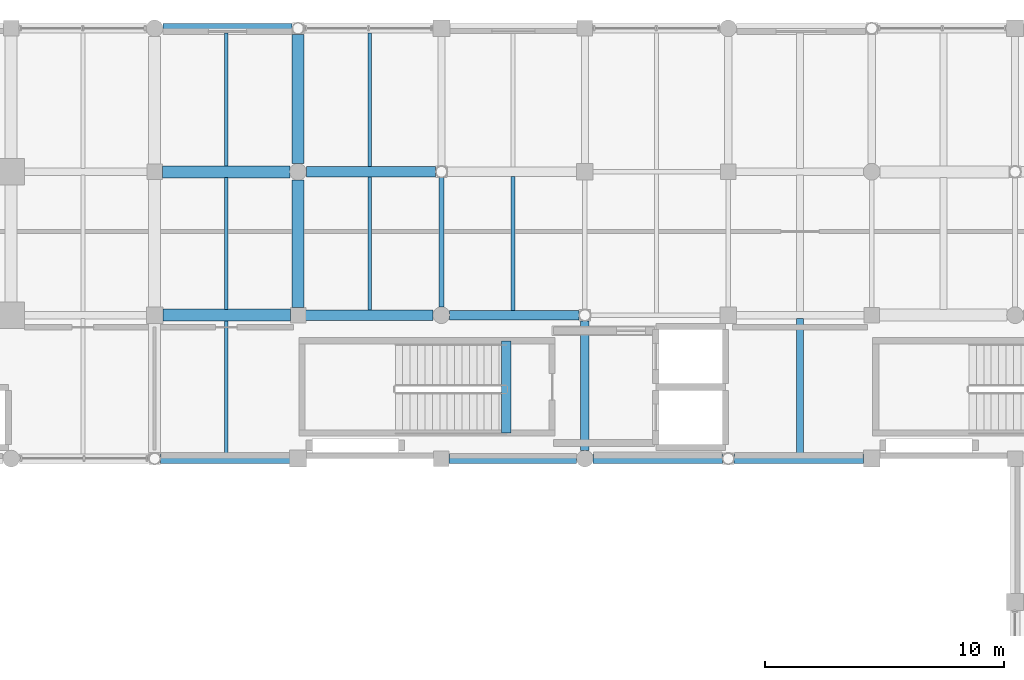
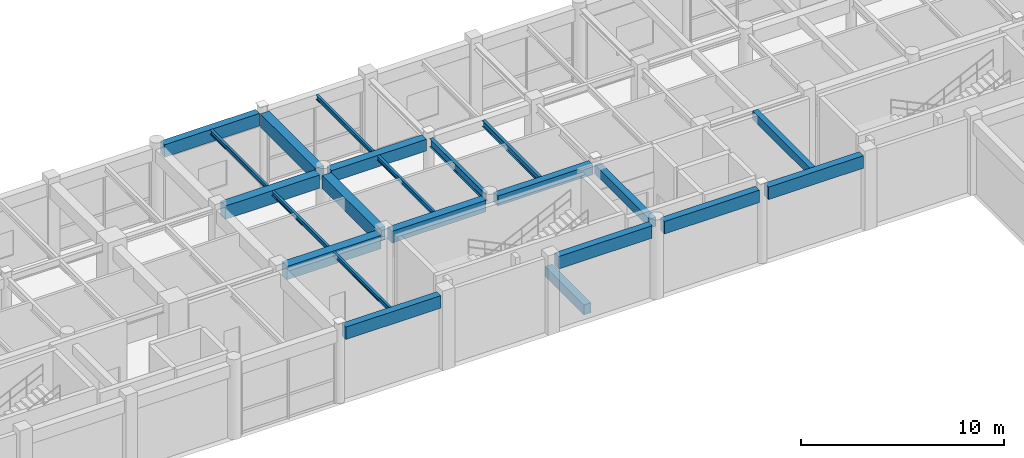
# One storey, part 77 of 123: 22 beams.
"""IFC4 building model written with IfcOpenShell, lengths in metres."""

import ifcopenshell
import ifcopenshell.guid

model = None  # the IFC model being written
_history = None  # IfcOwnerHistory: only IFC2X3 demands one
_inside = {}  # id of a spatial element -> (the spatial element, [elements in it])
_under = {}  # id of a project, library or spatial element -> (it, [spatial elements below it])
_declared = {}  # id of a project -> (the project, [libraries it declares])
_typed = {}  # id of a type object -> (the type object, [elements of that type])
_made_of = {}  # id of a material, layer set ... -> (it, [elements and type objects made of it])


def new_model(schema):
    """Start an empty IFC model of exactly this schema.

    Asked for "IFC4X3", IfcOpenShell would pick the latest addendum, in which some entities
    have other attributes; the version numbers below select the first issue.
    IFC2X3 requires an IfcOwnerHistory on every rooted entity: one is made here for all.
    """
    global model, _history
    if schema == "IFC4X3":
        model = ifcopenshell.file(schema_version=(4, 3, 0, 0))
    else:
        model = ifcopenshell.file(schema=schema)
    _inside.clear()
    _under.clear()
    _declared.clear()
    _typed.clear()
    _made_of.clear()
    _history = None
    if model.schema == "IFC2X3":
        org = make("IfcOrganization", Name="unknown")
        user = make(
            "IfcPersonAndOrganization",
            ThePerson=make("IfcPerson", FamilyName="unknown"),
            TheOrganization=org,
        )
        app = make(
            "IfcApplication",
            ApplicationDeveloper=org,
            Version="unknown",
            ApplicationFullName="unknown",
            ApplicationIdentifier="unknown",
        )
        _history = make(
            "IfcOwnerHistory",
            OwningUser=user,
            OwningApplication=app,
            ChangeAction="ADDED",
            CreationDate=0,
        )
    return model


def make(cls, **values):
    """One entity of the class cls with the attributes given. An attribute that is None is left unset."""
    return model.create_entity(
        cls, **{name: value for name, value in values.items() if value is not None}
    )


def rooted(cls, **values):
    """An entity with a GlobalId (a new one), such as an element, a storey or a relation."""
    return make(cls, GlobalId=ifcopenshell.guid.new(), OwnerHistory=_history, **values)


def si_unit(unit_type, name, prefix=None):
    """IfcSIUnit, for example si_unit("LENGTHUNIT", "METRE", prefix="MILLI")."""
    return make("IfcSIUnit", UnitType=unit_type, Prefix=prefix, Name=name)


def assignment(units):
    """IfcUnitAssignment: the units of a project."""
    return None if units is None else make("IfcUnitAssignment", Units=units)


def point(xyz):
    """IfcCartesianPoint."""
    return None if xyz is None else make("IfcCartesianPoint", Coordinates=xyz)


def direction(xyz):
    """IfcDirection."""
    return None if xyz is None else make("IfcDirection", DirectionRatios=xyz)


def frame(location, z_axis=None, x_axis=None):
    """IfcAxis2Placement3D, a coordinate frame: its origin and axes. An axis left out is left unset."""
    return make(
        "IfcAxis2Placement3D",
        Location=point(location),
        Axis=direction(z_axis),
        RefDirection=direction(x_axis),
    )


def frame_2d(location, x_axis=None):
    """IfcAxis2Placement2D, a coordinate frame in the plane: its origin and x axis."""
    return make(
        "IfcAxis2Placement2D", Location=point(location), RefDirection=direction(x_axis)
    )


def origin():
    """The frame at (0, 0, 0) with its axes left unset."""
    return frame((0.0, 0.0, 0.0))


def origin_2d():
    """The frame at (0, 0) in the plane with its x axis left unset."""
    return frame_2d((0.0, 0.0))


def place(relative_to, where):
    """IfcLocalPlacement: puts the frame where relative to a parent placement (None: the world)."""
    return make(
        "IfcLocalPlacement", PlacementRelTo=relative_to, RelativePlacement=where
    )


def context(
    kind, dimensions, precision=None, world=None, true_north=None, identifier=None
):
    """IfcGeometricRepresentationContext, for example the 3D "Model" context."""
    return make(
        "IfcGeometricRepresentationContext",
        ContextIdentifier=identifier,
        ContextType=kind,
        CoordinateSpaceDimension=dimensions,
        Precision=precision,
        WorldCoordinateSystem=world,
        TrueNorth=true_north,
    )


def subcontext(parent, identifier, kind, view, scale=None):
    """IfcGeometricRepresentationSubContext, for example "Body" below "Model"."""
    return make(
        "IfcGeometricRepresentationSubContext",
        ContextIdentifier=identifier,
        ContextType=kind,
        ParentContext=parent,
        TargetScale=scale,
        TargetView=view,
    )


def project(units=None, contexts=None):
    """IfcProject with its units and contexts."""
    return rooted(
        "IfcProject",
        Name="project",
        RepresentationContexts=contexts,
        UnitsInContext=assignment(units),
    )


def spatial(cls, under=None, at=None, **own):
    """A site, building, storey or space (cls), placed at a placement, below another one or the project."""
    s = rooted(cls, ObjectPlacement=at, **own)
    if under is not None:
        _under.setdefault(under.id(), (under, []))[1].append(s)
    return s


def profile(cls, at=None, kind="AREA", **sizes):
    """A parametric profile (cls). Its sizes go by their IFC names, for example OverallWidth=200.0."""
    return make(cls, ProfileType=kind, Position=at, **sizes)


def rectangle(**sizes):
    """IfcRectangleProfileDef."""
    return profile("IfcRectangleProfileDef", **sizes)


def i_section(**sizes):
    """IfcIShapeProfileDef."""
    return profile("IfcIShapeProfileDef", **sizes)


def extrude(swept, where, along, depth):
    """IfcExtrudedAreaSolid: the profile swept, set in the frame where, extruded along a direction by depth."""
    return make(
        "IfcExtrudedAreaSolid",
        SweptArea=swept,
        Position=where,
        ExtrudedDirection=direction(along),
        Depth=depth,
    )


def shape(context_of_items, identifier, shape_type, items):
    """IfcShapeRepresentation: the items that make up one representation, for example the "Body"."""
    return make(
        "IfcShapeRepresentation",
        ContextOfItems=context_of_items,
        RepresentationIdentifier=identifier,
        RepresentationType=shape_type,
        Items=items,
    )


def material(Name=None, Category=None):
    """IfcMaterial."""
    return make("IfcMaterial", Name=Name, Category=Category)


def material_profile(
    of_material, cross_section, Name=None, Category=None, Priority=None
):
    """IfcMaterialProfile: a cross section and its material."""
    return make(
        "IfcMaterialProfile",
        Name=Name,
        Material=of_material,
        Profile=cross_section,
        Priority=Priority,
        Category=Category,
    )


def profile_set(profiles, Name=None, composite=None):
    """IfcMaterialProfileSet."""
    return make(
        "IfcMaterialProfileSet",
        Name=Name,
        MaterialProfiles=profiles,
        CompositeProfile=composite,
    )


def made_of(thing, what):
    """Note that an element or type object is made of a material, layer set ...; save() writes the relation."""
    if what is not None:
        _made_of.setdefault(what.id(), (what, []))[1].append(thing)
    return thing


def type_object(cls, material=None, **own):
    """A type object (cls), such as IfcWallType, which elements share."""
    return made_of(rooted(cls, **own), material)


def element(
    cls,
    number,
    at=None,
    inside=None,
    cuts=None,
    type_object=None,
    material=None,
    context=None,
    identifier="Body",
    shape_type=None,
    held_by="IfcProductDefinitionShape",
    body=None,
    shapes=None,
    **own,
):
    """One element of the class cls, such as IfcWall. Its Tag is "e" and its number.

    at: its placement. inside: the storey or other place that contains it. cuts: it is an
    opening in that element (IfcRelVoidsElement). A single representation is given by context,
    identifier, shape_type and body (its items); several are given by shapes. held_by: the class
    of the entity that holds the representations. save() writes the other relations.
    """
    e = rooted(cls, Tag="e%d" % number, ObjectPlacement=at, **own)
    if body is not None:
        shapes = [shape(context, identifier, shape_type, body)]
    if shapes is not None:
        e.Representation = make(held_by, Representations=shapes)
    if inside is not None:
        _inside.setdefault(inside.id(), (inside, []))[1].append(e)
    if cuts is not None:
        rooted(
            "IfcRelVoidsElement", RelatingBuildingElement=cuts, RelatedOpeningElement=e
        )
    if type_object is not None:
        _typed.setdefault(type_object.id(), (type_object, []))[1].append(e)
    return made_of(e, material)


def aggregate(whole, parts):
    """IfcRelAggregates: a whole, such as a stair, and the parts it consists of."""
    return rooted("IfcRelAggregates", RelatingObject=whole, RelatedObjects=parts)


def save(model, path):
    """Write the relations noted so far, then the file.

    IfcRelAggregates (storeys below a building ...), IfcRelContainedInSpatialStructure (elements
    in a storey), IfcRelDefinesByType, IfcRelAssociatesMaterial and IfcRelDeclares: one each for
    every whole, place, type object, material and project.
    """
    for whole, parts in _under.values():
        aggregate(whole, parts)
    for where, things in _inside.values():
        rooted(
            "IfcRelContainedInSpatialStructure",
            RelatedElements=things,
            RelatingStructure=where,
        )
    for kind, things in _typed.values():
        rooted("IfcRelDefinesByType", RelatedObjects=things, RelatingType=kind)
    for what, things in _made_of.values():
        rooted("IfcRelAssociatesMaterial", RelatedObjects=things, RelatingMaterial=what)
    for by, libraries in _declared.values():
        rooted("IfcRelDeclares", RelatingContext=by, RelatedDefinitions=libraries)
    model.write(path)


model = new_model("IFC4")

# Units and contexts
model_context = context("Model", 3, precision=1e-05, world=origin(), true_north=direction((0.0, 1.0)))
body_context = subcontext(model_context, "Body", "Model", "MODEL_VIEW")
ifc_project = project(units=[si_unit("LENGTHUNIT", "METRE"), si_unit("AREAUNIT", "SQUARE_METRE"), si_unit("VOLUMEUNIT", "CUBIC_METRE"), si_unit("PLANEANGLEUNIT", "RADIAN"), si_unit("MASSUNIT", "GRAM", prefix="KILO"), si_unit("THERMODYNAMICTEMPERATUREUNIT", "KELVIN"), si_unit("POWERUNIT", "WATT")], contexts=[model_context])

# Site, building, storey
site_placement = place(None, origin())
site = spatial("IfcSite", under=ifc_project, at=site_placement, CompositionType="ELEMENT")
building_placement = place(site_placement, origin())
building = spatial("IfcBuilding", under=site, at=building_placement, Name="Phaisarnlok Congress Hotel", CompositionType="ELEMENT")
storey_placement = place(building_placement, frame((0.0, 0.0, 15.0)))
storey = spatial("IfcBuildingStorey", under=building, at=storey_placement, Name="L03", CompositionType="ELEMENT", Elevation=15.0)

# Beams
ifc_material_1 = material(Name="Concrete C40/50", Category="concrete")
ifc_material_profile_1 = material_profile(ifc_material_1, rectangle(XDim=0.35009765625, YDim=0.550048828125, at=origin_2d()), Name="RC 350x550")
ifc_profile_set_1 = profile_set([ifc_material_profile_1], Name="Concrete C40/50")
beam_type_1 = type_object("IfcBeamType", Name="BM-RC-350x550", PredefinedType="BEAM", material=ifc_profile_set_1)
beam_1_placement = place(storey_placement, frame((144.0, 108.344970703125, 4.175048828125), z_axis=(0.0, 1.0, 0.0), x_axis=(-1.0, 0.0, 0.0)))
element("IfcBeam", 1, at=beam_1_placement, inside=storey, type_object=beam_type_1, Name="Beam B-01", PredefinedType="BEAM", context=body_context, shape_type="SweptSolid", body=[
    extrude(rectangle(XDim=0.35009765625, YDim=0.550048828125, at=origin_2d()), origin(), (0.0, 0.0, 1.0), 5.406005859375),
])
ifc_material_profile_2 = material_profile(ifc_material_1, rectangle(XDim=0.39990234375, YDim=0.60009765625, at=origin_2d()), Name="RC 400x600")
ifc_profile_set_2 = profile_set([ifc_material_profile_2], Name="Concrete C40/50")
beam_type_2 = type_object("IfcBeamType", Name="BM-RC-400x600", PredefinedType="BEAM", material=ifc_profile_set_2)
beam_2_placement = place(storey_placement, frame((138.344970703125, 114.0, 4.14990234375), z_axis=(1.0, 0.0, 0.0), x_axis=(0.0, 1.0, 0.0)))
element("IfcBeam", 2, at=beam_2_placement, inside=storey, type_object=beam_type_2, Name="Beam B-02", PredefinedType="BEAM", context=body_context, shape_type="SweptSolid", body=[
    extrude(rectangle(XDim=0.39990234375, YDim=0.60009765625, at=origin_2d()), origin(), (0.0, 0.0, 1.0), 5.406005859375),
])
beam_3_placement = place(storey_placement, frame((140.719970703125, 109.080078125, -0.300048828125), z_axis=(0.0, 1.0, 0.0), x_axis=(-1.0, 0.0, 0.0)))
element("IfcBeam", 3, at=beam_3_placement, inside=storey, type_object=beam_type_2, Name="Stair landing header beam B-02 (CORE-2 L03)", PredefinedType="BEAM", context=body_context, shape_type="SweptSolid", body=[
    extrude(rectangle(XDim=0.39990234375, YDim=0.60009765625, at=origin_2d()), origin(), (0.0, 0.0, 1.0), 3.83984375),
])
ifc_material_profile_3 = material_profile(ifc_material_1, rectangle(XDim=0.449951171875, YDim=0.699951171875, at=origin_2d()), Name="RC 450x700")
ifc_profile_set_3 = profile_set([ifc_material_profile_3], Name="Concrete C40/50")
beam_type_3 = type_object("IfcBeamType", Name="BM-RC-450x700", PredefinedType="BEAM", material=ifc_profile_set_3)
beam_4_placement = place(storey_placement, frame((132.320068359375, 114.0, 4.10009765625), z_axis=(1.0, 0.0, 0.0), x_axis=(0.0, 1.0, 0.0)))
element("IfcBeam", 4, at=beam_4_placement, inside=storey, type_object=beam_type_3, Name="Beam B-03", PredefinedType="BEAM", context=body_context, shape_type="SweptSolid", body=[
    extrude(rectangle(XDim=0.449951171875, YDim=0.699951171875, at=origin_2d()), origin(), (0.0, 0.0, 1.0), 5.3349609375),
])
beam_5_placement = place(storey_placement, frame((132.344970703125, 120.0, 4.10009765625), z_axis=(1.0, 0.0, 0.0), x_axis=(0.0, 1.0, 0.0)))
element("IfcBeam", 5, at=beam_5_placement, inside=storey, type_object=beam_type_3, Name="Beam B-03", PredefinedType="BEAM", context=body_context, shape_type="SweptSolid", body=[
    extrude(rectangle(XDim=0.449951171875, YDim=0.699951171875, at=origin_2d()), origin(), (0.0, 0.0, 1.0), 5.406005859375),
])
ifc_material_profile_4 = material_profile(ifc_material_1, rectangle(XDim=0.5, YDim=0.800048828125, at=origin_2d()), Name="RC 500x800")
ifc_profile_set_4 = profile_set([ifc_material_profile_4], Name="Concrete C40/50")
beam_type_4 = type_object("IfcBeamType", Name="BM-RC-500x800", PredefinedType="BEAM", material=ifc_profile_set_4)
for number, where, z_axis, x_axis, name in (
    (6, (126.344970703125, 114.0, 4.050048828125), (1.0, 0.0, 0.0), (0.0, 1.0, 0.0), "Beam B-04"),
    (7, (126.320068359375, 120.0, 4.050048828125), (1.0, 0.0, 0.0), (0.0, 1.0, 0.0), "Beam B-04"),
    (8, (132.0, 114.320068359375, 4.050048828125), (0.0, 1.0, 0.0), (-1.0, 0.0, 0.0), "Beam B-04"),
):
    element("IfcBeam", number, at=place(storey_placement, frame(where, z_axis=z_axis, x_axis=x_axis)), inside=storey, type_object=beam_type_4, Name=name, PredefinedType="BEAM", context=body_context, shape_type="SweptSolid", body=[
        extrude(rectangle(XDim=0.5, YDim=0.800048828125, at=origin_2d()), origin(), (0.0, 0.0, 1.0), 5.3349609375),
    ])
beam_6_placement = place(storey_placement, frame((132.0, 120.344970703125, 4.050048828125), z_axis=(0.0, 1.0, 0.0), x_axis=(-1.0, 0.0, 0.0)))
element("IfcBeam", 9, at=beam_6_placement, inside=storey, type_object=beam_type_4, Name="Beam B-04", PredefinedType="BEAM", context=body_context, shape_type="SweptSolid", body=[
    extrude(rectangle(XDim=0.5, YDim=0.800048828125, at=origin_2d()), origin(), (0.0, 0.0, 1.0), 5.406005859375),
])
ifc_material_2 = material(Name="Steel S355", Category="steel")
ifc_material_profile_5 = material_profile(ifc_material_2, i_section(OverallWidth=0.199951171875, OverallDepth=0.5, WebThickness=0.01025390625, FlangeThickness=0.01611328125, FilletRadius=0.02099609375, at=origin_2d()), Name="IPE 500")
ifc_profile_set_5 = profile_set([ifc_material_profile_5], Name="Steel S355")
beam_type_5 = type_object("IfcBeamType", Name="BM-STL-IPE500", PredefinedType="BEAM", material=ifc_profile_set_5)
beam_7_placement = place(storey_placement, frame((138.0, 114.344970703125, 4.199951171875), z_axis=(0.0, 1.0, 0.0), x_axis=(-1.0, 0.0, 0.0)))
element("IfcBeam", 10, at=beam_7_placement, inside=storey, type_object=beam_type_5, Name="Beam SB-02", PredefinedType="BEAM", context=body_context, shape_type="SweptSolid", body=[
    extrude(i_section(OverallWidth=0.199951171875, OverallDepth=0.5, WebThickness=0.01025390625, FlangeThickness=0.01611328125, FilletRadius=0.02099609375, at=origin_2d()), origin(), (0.0, 0.0, 1.0), 5.406005859375),
])
ifc_material_profile_6 = material_profile(ifc_material_1, rectangle(XDim=0.300048828125, YDim=0.5, at=origin_2d()), Name="RC 300x500")
ifc_profile_set_6 = profile_set([ifc_material_profile_6], Name="Concrete C40/50")
beam_type_6 = type_object("IfcBeamType", Name="JS-RC-300x500", PredefinedType="JOIST", material=ifc_profile_set_6)
beam_8_placement = place(storey_placement, frame((153.0, 108.195068359375, 4.199951171875), z_axis=(0.0, 1.0, 0.0), x_axis=(-1.0, 0.0, 0.0)))
element("IfcBeam", 11, at=beam_8_placement, inside=storey, type_object=beam_type_6, Name="Secondary floor joist J-01", PredefinedType="JOIST", context=body_context, shape_type="SweptSolid", body=[
    extrude(rectangle(XDim=0.300048828125, YDim=0.5, at=origin_2d()), origin(), (0.0, 0.0, 1.0), 5.659912109375),
])
ifc_material_profile_7 = material_profile(ifc_material_2, i_section(OverallWidth=0.135009765625, OverallDepth=0.27001953125, WebThickness=0.006591796875, FlangeThickness=0.01025390625, FilletRadius=0.014892578125, at=origin_2d()), Name="IPE 270")
ifc_profile_set_7 = profile_set([ifc_material_profile_7], Name="Steel S355")
beam_type_7 = type_object("IfcBeamType", Name="JS-STL-IPE270", PredefinedType="JOIST", material=ifc_profile_set_7)
beam_9_placement = place(storey_placement, frame((129.0, 108.195068359375, 4.31494140625), z_axis=(0.0, 1.0, 0.0), x_axis=(-1.0, 0.0, 0.0)))
element("IfcBeam", 12, at=beam_9_placement, inside=storey, type_object=beam_type_7, Name="Secondary floor joist J-02", PredefinedType="JOIST", context=body_context, shape_type="SweptSolid", body=[
    extrude(i_section(OverallWidth=0.135009765625, OverallDepth=0.27001953125, WebThickness=0.006591796875, FlangeThickness=0.01025390625, FilletRadius=0.014892578125, at=origin_2d()), origin(), (0.0, 0.0, 1.0), 5.559814453125),
])
beam_10_placement = place(storey_placement, frame((129.0, 114.2451171875, 4.31494140625), z_axis=(0.0, 1.0, 0.0), x_axis=(-1.0, 0.0, 0.0)))
element("IfcBeam", 13, at=beam_10_placement, inside=storey, type_object=beam_type_7, Name="Secondary floor joist J-02", PredefinedType="JOIST", context=body_context, shape_type="SweptSolid", body=[
    extrude(i_section(OverallWidth=0.135009765625, OverallDepth=0.27001953125, WebThickness=0.006591796875, FlangeThickness=0.01025390625, FilletRadius=0.014892578125, at=origin_2d()), origin(), (0.0, 0.0, 1.0), 5.509765625),
])
beam_11_placement = place(storey_placement, frame((129.0, 120.2451171875, 4.31494140625), z_axis=(0.0, 1.0, 0.0), x_axis=(-1.0, 0.0, 0.0)))
element("IfcBeam", 14, at=beam_11_placement, inside=storey, type_object=beam_type_7, Name="Secondary floor joist J-02", PredefinedType="JOIST", context=body_context, shape_type="SweptSolid", body=[
    extrude(i_section(OverallWidth=0.135009765625, OverallDepth=0.27001953125, WebThickness=0.006591796875, FlangeThickness=0.01025390625, FilletRadius=0.014892578125, at=origin_2d()), origin(), (0.0, 0.0, 1.0), 5.559814453125),
])
beam_12_placement = place(storey_placement, frame((135.0, 114.219970703125, 4.31494140625), z_axis=(0.0, 1.0, 0.0), x_axis=(-1.0, 0.0, 0.0)))
element("IfcBeam", 15, at=beam_12_placement, inside=storey, type_object=beam_type_7, Name="Secondary floor joist J-02", PredefinedType="JOIST", context=body_context, shape_type="SweptSolid", body=[
    extrude(i_section(OverallWidth=0.135009765625, OverallDepth=0.27001953125, WebThickness=0.006591796875, FlangeThickness=0.01025390625, FilletRadius=0.014892578125, at=origin_2d()), origin(), (0.0, 0.0, 1.0), 5.56005859375),
])
beam_13_placement = place(storey_placement, frame((135.0, 120.219970703125, 4.31494140625), z_axis=(0.0, 1.0, 0.0), x_axis=(-1.0, 0.0, 0.0)))
element("IfcBeam", 16, at=beam_13_placement, inside=storey, type_object=beam_type_7, Name="Secondary floor joist J-02", PredefinedType="JOIST", context=body_context, shape_type="SweptSolid", body=[
    extrude(i_section(OverallWidth=0.135009765625, OverallDepth=0.27001953125, WebThickness=0.006591796875, FlangeThickness=0.01025390625, FilletRadius=0.014892578125, at=origin_2d()), origin(), (0.0, 0.0, 1.0), 5.5849609375),
])
ifc_material_profile_8 = material_profile(ifc_material_2, i_section(OverallWidth=0.169921875, OverallDepth=0.360107421875, WebThickness=0.008056640625, FlangeThickness=0.0126953125, FilletRadius=0.01806640625, at=origin_2d()), Name="IPE 360")
ifc_profile_set_8 = profile_set([ifc_material_profile_8], Name="Steel S355")
beam_type_8 = type_object("IfcBeamType", Name="JS-STL-IPE360", PredefinedType="JOIST", material=ifc_profile_set_8)
beam_14_placement = place(storey_placement, frame((141.0, 114.195068359375, 4.27001953125), z_axis=(0.0, 1.0, 0.0), x_axis=(-1.0, 0.0, 0.0)))
element("IfcBeam", 17, at=beam_14_placement, inside=storey, type_object=beam_type_8, Name="Secondary floor joist J-04", PredefinedType="JOIST", context=body_context, shape_type="SweptSolid", body=[
    extrude(i_section(OverallWidth=0.169921875, OverallDepth=0.360107421875, WebThickness=0.008056640625, FlangeThickness=0.0126953125, FilletRadius=0.01806640625, at=origin_2d()), origin(), (0.0, 0.0, 1.0), 5.60986328125),
])
ifc_material_profile_9 = material_profile(ifc_material_1, rectangle(XDim=0.39990234375, YDim=0.75, at=origin_2d()), Name="RC 400x750")
ifc_profile_set_9 = profile_set([ifc_material_profile_9], Name="Concrete C40/50")
beam_type_9 = type_object("IfcBeamType", Name="SP-RC-400x750", PredefinedType="SPANDREL", material=ifc_profile_set_9)
for number, where, z_axis, x_axis, name in (
    (18, (126.2490234375, 108.0, 4.074951171875), (1.0, 0.0, 0.0), (0.0, 1.0, 0.0), "Beam SP-02"),
    (19, (126.344970703125, 126.0, 4.074951171875), (1.0, 0.0, 0.0), (0.0, 1.0, 0.0), "Beam SP-02"),
):
    element("IfcBeam", number, at=place(storey_placement, frame(where, z_axis=z_axis, x_axis=x_axis)), inside=storey, type_object=beam_type_9, Name=name, PredefinedType="SPANDREL", context=body_context, shape_type="SweptSolid", body=[
        extrude(rectangle(XDim=0.39990234375, YDim=0.75, at=origin_2d()), origin(), (0.0, 0.0, 1.0), 5.406005859375),
    ])
beam_15_placement = place(storey_placement, frame((138.320068359375, 108.0, 4.074951171875), z_axis=(1.0, 0.0, 0.0), x_axis=(0.0, 1.0, 0.0)))
element("IfcBeam", 20, at=beam_15_placement, inside=storey, type_object=beam_type_9, Name="Beam SP-02", PredefinedType="SPANDREL", context=body_context, shape_type="SweptSolid", body=[
    extrude(rectangle(XDim=0.39990234375, YDim=0.75, at=origin_2d()), origin(), (0.0, 0.0, 1.0), 5.3349609375),
])
for number, where, z_axis, x_axis, name in (
    (21, (144.344970703125, 108.0, 4.074951171875), (1.0, 0.0, 0.0), (0.0, 1.0, 0.0), "Beam SP-02"),
    (22, (150.2490234375, 108.0, 4.074951171875), (1.0, 0.0, 0.0), (0.0, 1.0, 0.0), "Beam SP-02"),
):
    element("IfcBeam", number, at=place(storey_placement, frame(where, z_axis=z_axis, x_axis=x_axis)), inside=storey, type_object=beam_type_9, Name=name, PredefinedType="SPANDREL", context=body_context, shape_type="SweptSolid", body=[
        extrude(rectangle(XDim=0.39990234375, YDim=0.75, at=origin_2d()), origin(), (0.0, 0.0, 1.0), 5.406005859375),
    ])

save(model, "model.ifc")
